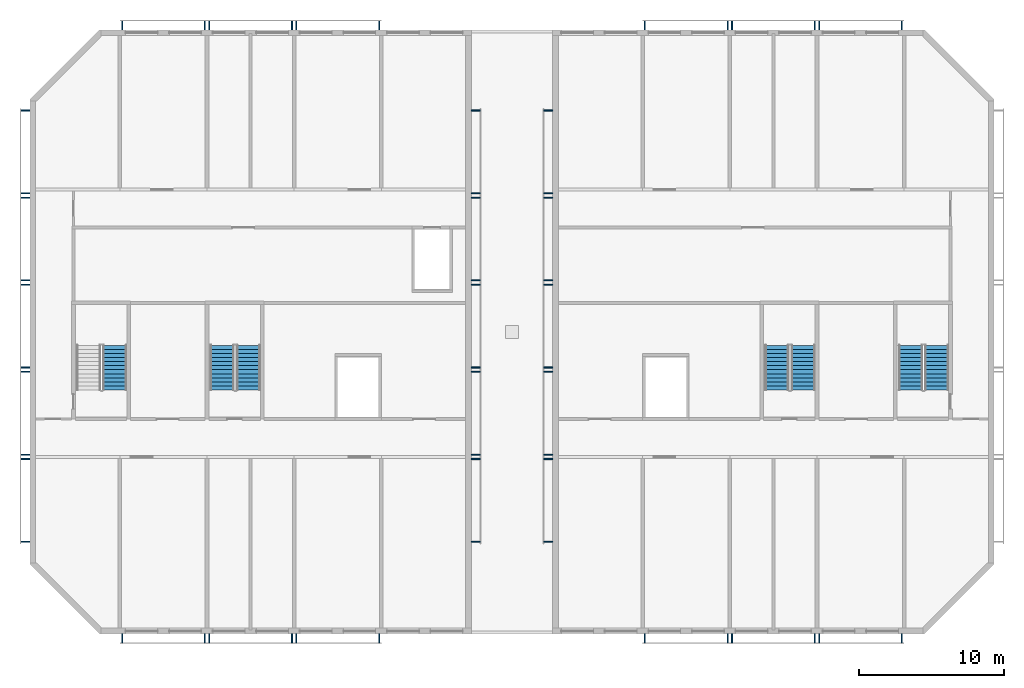
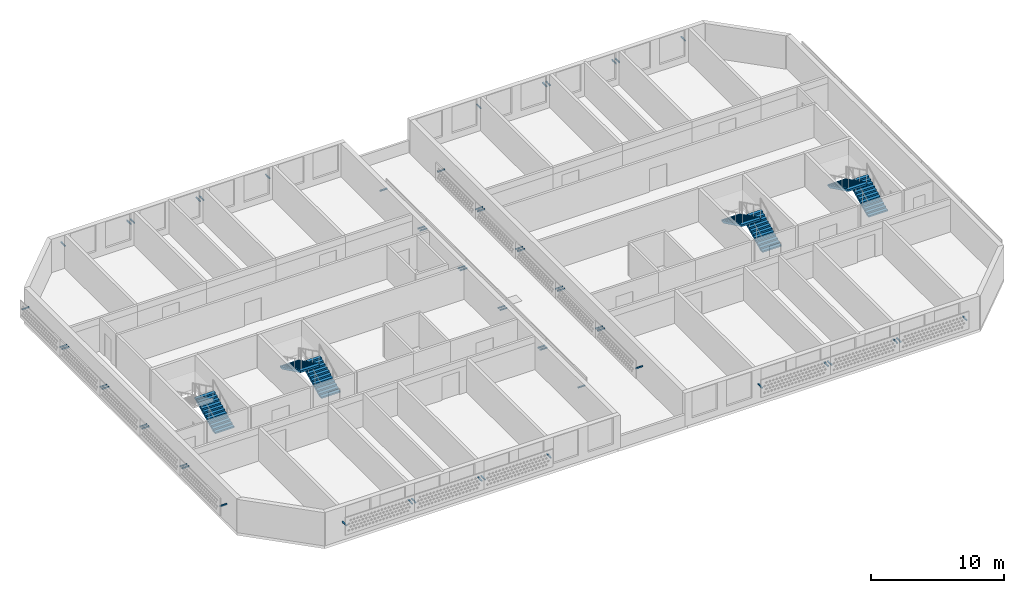
# One storey, part 5 of 18: 54 discrete accessories, 7 stair flights, 4 elements without a shape of their own.
"""IFC4 building model written with IfcOpenShell, lengths in metres."""

from ifc_helpers import new_model, si_unit, direction, frame, origin, origin_2d, place, context, subcontext, project, spatial, polyline, rectangle, outline, extrude, source, transform, mapped, material, layer, layer_set, material_profile, profile_set, type_object, element, aggregate, save


model = new_model("IFC4")

# Units and contexts
model_context = context("Model", 3, precision=1e-05, world=origin(), true_north=direction((0.0, 1.0)))
body_context = subcontext(model_context, "Body", "Model", "MODEL_VIEW")
ifc_project = project(units=[si_unit("LENGTHUNIT", "METRE"), si_unit("AREAUNIT", "SQUARE_METRE"), si_unit("VOLUMEUNIT", "CUBIC_METRE"), si_unit("PLANEANGLEUNIT", "RADIAN"), si_unit("MASSUNIT", "GRAM", prefix="KILO")], contexts=[model_context])

# Site, building, storey
site_placement = place(None, origin())
site = spatial("IfcSite", under=ifc_project, at=site_placement, CompositionType="ELEMENT")
building_placement = place(site_placement, origin())
building = spatial("IfcBuilding", under=site, at=building_placement, Name="Poui Terraces", CompositionType="ELEMENT")
storey_placement = place(building_placement, frame((0.0, 0.0, 272.39990234375)))
storey = spatial("IfcBuildingStorey", under=building, at=storey_placement, Name="L75 CROWN", CompositionType="ELEMENT", Elevation=272.39990234375)

# Stair, stair flights
ifc_material_1 = material(Name="Concrete 50 MPa", Category="concrete")
stair_type = type_object("IfcStairType", Name="EXIT STAIR 1650 50 MPA", PredefinedType="HALF_TURN_STAIR", material=ifc_material_1)
stair_1_placement = place(storey_placement, origin())
stair_1 = element("IfcStair", 1, at=stair_1_placement, inside=storey, type_object=stair_type, Name="L75 CROWN CORE STAIR EAST", PredefinedType="HALF_TURN_STAIR")
ifc_layer = layer(ifc_material_1, 0.14990234375)
ifc_layer_set = layer_set([ifc_layer], Name="Concrete 50 MPa")
stair_flight_type = type_object("IfcStairFlightType", Name="STAIR FLIGHT 12 RISERS 138 RISE 50 MPA", PredefinedType="STRAIGHT", material=ifc_layer_set)
stair_flight_1_placement = place(storey_placement, frame((71.050048828125, 16.60009765625, 0.0), z_axis=(0.0, 0.0, 1.0), x_axis=(0.0, 1.0, 0.0)))
stair_flight_1 = element("IfcStairFlight", 2, at=stair_flight_1_placement, type_object=stair_flight_type, Name="ST-CE flight 1", NumberOfRisers=12, NumberOfTreads=11, PredefinedType="STRAIGHT", RiserHeight=0.1375, TreadLength=0.28, context=body_context, shape_type="SweptSolid", body=[
    extrude(outline(polyline([(0.0, 0.0), (0.0, 0.137451171875), (0.280029296875, 0.137451171875), (0.280029296875, 0.27490234375), (0.56005859375, 0.27490234375), (0.56005859375, 0.41259765625), (0.840087890625, 0.41259765625), (0.840087890625, 0.550048828125), (1.1201171875, 0.550048828125), (1.1201171875, 0.6875), (1.39990234375, 0.6875), (1.39990234375, 0.824951171875), (1.679931640625, 0.824951171875), (1.679931640625, 0.96240234375), (1.9599609375, 0.96240234375), (1.9599609375, 1.10009765625), (2.239990234375, 1.10009765625), (2.239990234375, 1.237548828125), (2.52001953125, 1.237548828125), (2.52001953125, 1.375), (2.800048828125, 1.375), (2.800048828125, 1.512451171875), (3.080078125, 1.512451171875), (3.080078125, 1.64990234375), (3.080078125, 1.345458984375), (0.340087890625, 0.0), (0.0, 0.0)])), frame((0.0, 0.824951171875, 0.0), z_axis=(0.0, -1.0, 0.0), x_axis=(1.0, 0.0, 0.0)), (0.0, 0.0, 1.0), 1.64990234375),
])
stair_flight_2_placement = place(storey_placement, frame((69.25, 19.679931640625, 1.650146484375), z_axis=(0.0, 0.0, 1.0), x_axis=(0.0, -1.0, 0.0)))
stair_flight_2 = element("IfcStairFlight", 3, at=stair_flight_2_placement, type_object=stair_flight_type, Name="ST-CE flight 2", NumberOfRisers=12, NumberOfTreads=11, PredefinedType="STRAIGHT", RiserHeight=0.1375, TreadLength=0.28, context=body_context, shape_type="SweptSolid", body=[
    extrude(outline(polyline([(0.0, 0.0), (0.0, 0.137451171875), (0.280029296875, 0.137451171875), (0.280029296875, 0.27490234375), (0.56005859375, 0.27490234375), (0.56005859375, 0.41259765625), (0.840087890625, 0.41259765625), (0.840087890625, 0.550048828125), (1.1201171875, 0.550048828125), (1.1201171875, 0.6875), (1.39990234375, 0.6875), (1.39990234375, 0.824951171875), (1.679931640625, 0.824951171875), (1.679931640625, 0.96240234375), (1.9599609375, 0.96240234375), (1.9599609375, 1.10009765625), (2.239990234375, 1.10009765625), (2.239990234375, 1.237548828125), (2.52001953125, 1.237548828125), (2.52001953125, 1.375), (2.800048828125, 1.375), (2.800048828125, 1.512451171875), (3.080078125, 1.512451171875), (3.080078125, 1.64990234375), (3.080078125, 1.345458984375), (0.340087890625, 0.0), (0.0, 0.0)])), frame((0.0, 0.824951171875, 0.0), z_axis=(0.0, -1.0, 0.0), x_axis=(1.0, 0.0, 0.0)), (0.0, 0.0, 1.0), 1.64990234375),
])
aggregate(stair_1, [stair_flight_1, stair_flight_2])

stair_2_placement = place(storey_placement, origin())
stair_2 = element("IfcStair", 4, at=stair_2_placement, inside=storey, type_object=stair_type, Name="L75 CROWN CORE STAIR WEST", PredefinedType="HALF_TURN_STAIR")
stair_flight_3_placement = place(storey_placement, frame((32.85009765625, 16.60009765625, 0.0), z_axis=(0.0, 0.0, 1.0), x_axis=(0.0, 1.0, 0.0)))
stair_flight_3 = element("IfcStairFlight", 5, at=stair_flight_3_placement, type_object=stair_flight_type, Name="ST-CW flight 1", NumberOfRisers=12, NumberOfTreads=11, PredefinedType="STRAIGHT", RiserHeight=0.1375, TreadLength=0.28, context=body_context, shape_type="SweptSolid", body=[
    extrude(outline(polyline([(0.0, 0.0), (0.0, 0.137451171875), (0.280029296875, 0.137451171875), (0.280029296875, 0.27490234375), (0.56005859375, 0.27490234375), (0.56005859375, 0.41259765625), (0.840087890625, 0.41259765625), (0.840087890625, 0.550048828125), (1.1201171875, 0.550048828125), (1.1201171875, 0.6875), (1.39990234375, 0.6875), (1.39990234375, 0.824951171875), (1.679931640625, 0.824951171875), (1.679931640625, 0.96240234375), (1.9599609375, 0.96240234375), (1.9599609375, 1.10009765625), (2.239990234375, 1.10009765625), (2.239990234375, 1.237548828125), (2.52001953125, 1.237548828125), (2.52001953125, 1.375), (2.800048828125, 1.375), (2.800048828125, 1.512451171875), (3.080078125, 1.512451171875), (3.080078125, 1.64990234375), (3.080078125, 1.345458984375), (0.340087890625, 0.0), (0.0, 0.0)])), frame((0.0, 0.824951171875, 0.0), z_axis=(0.0, -1.0, 0.0), x_axis=(1.0, 0.0, 0.0)), (0.0, 0.0, 1.0), 1.64990234375),
])
stair_flight_4_placement = place(storey_placement, frame((31.050048828125, 19.679931640625, 1.650146484375), z_axis=(0.0, 0.0, 1.0), x_axis=(0.0, -1.0, 0.0)))
stair_flight_4 = element("IfcStairFlight", 6, at=stair_flight_4_placement, type_object=stair_flight_type, Name="ST-CW flight 2", NumberOfRisers=12, NumberOfTreads=11, PredefinedType="STRAIGHT", RiserHeight=0.1375, TreadLength=0.28, context=body_context, shape_type="SweptSolid", body=[
    extrude(outline(polyline([(0.0, 0.0), (0.0, 0.137451171875), (0.280029296875, 0.137451171875), (0.280029296875, 0.27490234375), (0.56005859375, 0.27490234375), (0.56005859375, 0.41259765625), (0.840087890625, 0.41259765625), (0.840087890625, 0.550048828125), (1.1201171875, 0.550048828125), (1.1201171875, 0.6875), (1.39990234375, 0.6875), (1.39990234375, 0.824951171875), (1.679931640625, 0.824951171875), (1.679931640625, 0.96240234375), (1.9599609375, 0.96240234375), (1.9599609375, 1.10009765625), (2.239990234375, 1.10009765625), (2.239990234375, 1.237548828125), (2.52001953125, 1.237548828125), (2.52001953125, 1.375), (2.800048828125, 1.375), (2.800048828125, 1.512451171875), (3.080078125, 1.512451171875), (3.080078125, 1.64990234375), (3.080078125, 1.345458984375), (0.340087890625, 0.0), (0.0, 0.0)])), frame((0.0, 0.824951171875, 0.0), z_axis=(0.0, -1.0, 0.0), x_axis=(1.0, 0.0, 0.0)), (0.0, 0.0, 1.0), 1.64990234375),
])
aggregate(stair_2, [stair_flight_3, stair_flight_4])

stair_3_placement = place(storey_placement, origin())
stair_3 = element("IfcStair", 7, at=stair_3_placement, inside=storey, type_object=stair_type, Name="L75 CROWN TIP STAIR EAST", PredefinedType="HALF_TURN_STAIR")
stair_flight_5_placement = place(storey_placement, frame((80.25, 16.60009765625, 0.0), z_axis=(0.0, 0.0, 1.0), x_axis=(0.0, 1.0, 0.0)))
stair_flight_5 = element("IfcStairFlight", 8, at=stair_flight_5_placement, type_object=stair_flight_type, Name="ST-E flight 1", NumberOfRisers=12, NumberOfTreads=11, PredefinedType="STRAIGHT", RiserHeight=0.1375, TreadLength=0.28, context=body_context, shape_type="SweptSolid", body=[
    extrude(outline(polyline([(0.0, 0.0), (0.0, 0.137451171875), (0.280029296875, 0.137451171875), (0.280029296875, 0.27490234375), (0.56005859375, 0.27490234375), (0.56005859375, 0.41259765625), (0.840087890625, 0.41259765625), (0.840087890625, 0.550048828125), (1.1201171875, 0.550048828125), (1.1201171875, 0.6875), (1.39990234375, 0.6875), (1.39990234375, 0.824951171875), (1.679931640625, 0.824951171875), (1.679931640625, 0.96240234375), (1.9599609375, 0.96240234375), (1.9599609375, 1.10009765625), (2.239990234375, 1.10009765625), (2.239990234375, 1.237548828125), (2.52001953125, 1.237548828125), (2.52001953125, 1.375), (2.800048828125, 1.375), (2.800048828125, 1.512451171875), (3.080078125, 1.512451171875), (3.080078125, 1.64990234375), (3.080078125, 1.345458984375), (0.340087890625, 0.0), (0.0, 0.0)])), frame((0.0, 0.824951171875, 0.0), z_axis=(0.0, -1.0, 0.0), x_axis=(1.0, 0.0, 0.0)), (0.0, 0.0, 1.0), 1.64990234375),
])
stair_flight_6_placement = place(storey_placement, frame((78.449951171875, 19.679931640625, 1.650146484375), z_axis=(0.0, 0.0, 1.0), x_axis=(0.0, -1.0, 0.0)))
stair_flight_6 = element("IfcStairFlight", 9, at=stair_flight_6_placement, type_object=stair_flight_type, Name="ST-E flight 2", NumberOfRisers=12, NumberOfTreads=11, PredefinedType="STRAIGHT", RiserHeight=0.1375, TreadLength=0.28, context=body_context, shape_type="SweptSolid", body=[
    extrude(outline(polyline([(0.0, 0.0), (0.0, 0.137451171875), (0.280029296875, 0.137451171875), (0.280029296875, 0.27490234375), (0.56005859375, 0.27490234375), (0.56005859375, 0.41259765625), (0.840087890625, 0.41259765625), (0.840087890625, 0.550048828125), (1.1201171875, 0.550048828125), (1.1201171875, 0.6875), (1.39990234375, 0.6875), (1.39990234375, 0.824951171875), (1.679931640625, 0.824951171875), (1.679931640625, 0.96240234375), (1.9599609375, 0.96240234375), (1.9599609375, 1.10009765625), (2.239990234375, 1.10009765625), (2.239990234375, 1.237548828125), (2.52001953125, 1.237548828125), (2.52001953125, 1.375), (2.800048828125, 1.375), (2.800048828125, 1.512451171875), (3.080078125, 1.512451171875), (3.080078125, 1.64990234375), (3.080078125, 1.345458984375), (0.340087890625, 0.0), (0.0, 0.0)])), frame((0.0, 0.824951171875, 0.0), z_axis=(0.0, -1.0, 0.0), x_axis=(1.0, 0.0, 0.0)), (0.0, 0.0, 1.0), 1.64990234375),
])
aggregate(stair_3, [stair_flight_5, stair_flight_6])

# Stair, stair flight
stair_4_placement = place(storey_placement, origin())
stair_4 = element("IfcStair", 10, at=stair_4_placement, inside=storey, type_object=stair_type, Name="L75 CROWN TIP STAIR WEST", PredefinedType="HALF_TURN_STAIR")
stair_flight_7_placement = place(storey_placement, frame((23.64990234375, 16.60009765625, 0.0), z_axis=(0.0, 0.0, 1.0), x_axis=(0.0, 1.0, 0.0)))
stair_flight_7 = element("IfcStairFlight", 11, at=stair_flight_7_placement, type_object=stair_flight_type, Name="ST-W flight 1", NumberOfRisers=12, NumberOfTreads=11, PredefinedType="STRAIGHT", RiserHeight=0.1375, TreadLength=0.28, context=body_context, shape_type="SweptSolid", body=[
    extrude(outline(polyline([(0.0, 0.0), (0.0, 0.137451171875), (0.280029296875, 0.137451171875), (0.280029296875, 0.27490234375), (0.56005859375, 0.27490234375), (0.56005859375, 0.41259765625), (0.840087890625, 0.41259765625), (0.840087890625, 0.550048828125), (1.1201171875, 0.550048828125), (1.1201171875, 0.6875), (1.39990234375, 0.6875), (1.39990234375, 0.824951171875), (1.679931640625, 0.824951171875), (1.679931640625, 0.96240234375), (1.9599609375, 0.96240234375), (1.9599609375, 1.10009765625), (2.239990234375, 1.10009765625), (2.239990234375, 1.237548828125), (2.52001953125, 1.237548828125), (2.52001953125, 1.375), (2.800048828125, 1.375), (2.800048828125, 1.512451171875), (3.080078125, 1.512451171875), (3.080078125, 1.64990234375), (3.080078125, 1.345458984375), (0.340087890625, 0.0), (0.0, 0.0)])), frame((0.0, 0.824951171875, 0.0), z_axis=(0.0, -1.0, 0.0), x_axis=(1.0, 0.0, 0.0)), (0.0, 0.0, 1.0), 1.64990234375),
])
aggregate(stair_4, [stair_flight_7])

# Discrete accessories
ifc_material_2 = material(Name="Galvanised steel", Category="steel")
ifc_material_profile = material_profile(ifc_material_2, rectangle(XDim=0.080078125, YDim=0.080078125, at=origin_2d()), Name="SCREEN BRACKET 80")
ifc_profile_set = profile_set([ifc_material_profile], Name="Galvanised steel")
discrete_accessory_type = type_object("IfcDiscreteAccessoryType", Name="SCREEN BRACKET 80", PredefinedType="BRACKET", material=ifc_profile_set)
shared_shape = source(origin(), body_context, "Body", "SweptSolid", [
    extrude(rectangle(XDim=0.080078125, YDim=0.080078125, at=origin_2d()), origin(), (0.0, 0.0, 1.0), 0.60009765625),
])
for number, where, z_axis, x_axis, name in (
    (12, (24.14990234375, -0.199951171875, 1.7001953125), (0.0, -1.0, 0.0), (1.0, 0.0, 0.0), "SCREEN BRACKET"),
    (13, (29.85009765625, -0.199951171875, 1.7001953125), (0.0, -1.0, 0.0), (1.0, 0.0, 0.0), "SCREEN BRACKET"),
    (14, (30.14990234375, -0.199951171875, 1.7001953125), (0.0, -1.0, 0.0), (1.0, 0.0, 0.0), "SCREEN BRACKET"),
    (15, (35.85009765625, -0.199951171875, 1.7001953125), (0.0, -1.0, 0.0), (1.0, 0.0, 0.0), "SCREEN BRACKET"),
    (16, (36.14990234375, -0.199951171875, 1.7001953125), (0.0, -1.0, 0.0), (1.0, 0.0, 0.0), "SCREEN BRACKET"),
    (17, (41.85009765625, -0.199951171875, 1.7001953125), (0.0, -1.0, 0.0), (1.0, 0.0, 0.0), "SCREEN BRACKET"),
    (18, (48.199951171875, 6.14990234375, 1.7001953125), (1.0, 0.0, 0.0), (0.0, 1.0, 0.0), "SCREEN BRACKET"),
    (19, (48.199951171875, 11.85009765625, 1.7001953125), (1.0, 0.0, 0.0), (0.0, 1.0, 0.0), "SCREEN BRACKET"),
    (20, (48.199951171875, 12.14990234375, 1.7001953125), (1.0, 0.0, 0.0), (0.0, 1.0, 0.0), "SCREEN BRACKET"),
    (21, (48.199951171875, 17.85009765625, 1.7001953125), (1.0, 0.0, 0.0), (0.0, 1.0, 0.0), "SCREEN BRACKET"),
    (22, (48.199951171875, 18.14990234375, 1.7001953125), (1.0, 0.0, 0.0), (0.0, 1.0, 0.0), "SCREEN BRACKET"),
    (23, (48.199951171875, 23.85009765625, 1.7001953125), (1.0, 0.0, 0.0), (0.0, 1.0, 0.0), "SCREEN BRACKET"),
    (24, (48.199951171875, 24.14990234375, 1.7001953125), (1.0, 0.0, 0.0), (0.0, 1.0, 0.0), "SCREEN BRACKET"),
    (25, (48.199951171875, 29.85009765625, 1.7001953125), (1.0, 0.0, 0.0), (0.0, 1.0, 0.0), "SCREEN BRACKET"),
    (26, (48.199951171875, 30.14990234375, 1.7001953125), (1.0, 0.0, 0.0), (0.0, 1.0, 0.0), "SCREEN BRACKET"),
    (27, (48.199951171875, 35.85009765625, 1.7001953125), (1.0, 0.0, 0.0), (0.0, 1.0, 0.0), "SCREEN BRACKET"),
    (28, (29.85009765625, 41.39990234375, 1.7001953125), (0.0, 1.0, 0.0), (-1.0, 0.0, 0.0), "SCREEN BRACKET"),
    (29, (24.14990234375, 41.39990234375, 1.7001953125), (0.0, 1.0, 0.0), (-1.0, 0.0, 0.0), "SCREEN BRACKET"),
    (30, (35.85009765625, 41.39990234375, 1.7001953125), (0.0, 1.0, 0.0), (-1.0, 0.0, 0.0), "SCREEN BRACKET"),
    (31, (30.14990234375, 41.39990234375, 1.7001953125), (0.0, 1.0, 0.0), (-1.0, 0.0, 0.0), "SCREEN BRACKET"),
    (32, (41.85009765625, 41.39990234375, 1.7001953125), (0.0, 1.0, 0.0), (-1.0, 0.0, 0.0), "SCREEN BRACKET"),
    (33, (36.14990234375, 41.39990234375, 1.7001953125), (0.0, 1.0, 0.0), (-1.0, 0.0, 0.0), "SCREEN BRACKET"),
    (34, (17.800048828125, 11.85009765625, 1.7001953125), (-1.0, 0.0, 0.0), (0.0, -1.0, 0.0), "SCREEN BRACKET"),
    (35, (17.800048828125, 6.14990234375, 1.7001953125), (-1.0, 0.0, 0.0), (0.0, -1.0, 0.0), "SCREEN BRACKET"),
    (36, (17.800048828125, 17.85009765625, 1.7001953125), (-1.0, 0.0, 0.0), (0.0, -1.0, 0.0), "SCREEN BRACKET"),
    (37, (17.800048828125, 12.14990234375, 1.7001953125), (-1.0, 0.0, 0.0), (0.0, -1.0, 0.0), "SCREEN BRACKET"),
    (38, (17.800048828125, 23.85009765625, 1.7001953125), (-1.0, 0.0, 0.0), (0.0, -1.0, 0.0), "SCREEN BRACKET"),
    (39, (17.800048828125, 18.14990234375, 1.7001953125), (-1.0, 0.0, 0.0), (0.0, -1.0, 0.0), "SCREEN BRACKET"),
    (40, (17.800048828125, 29.85009765625, 1.7001953125), (-1.0, 0.0, 0.0), (0.0, -1.0, 0.0), "SCREEN BRACKET"),
    (41, (17.800048828125, 24.14990234375, 1.7001953125), (-1.0, 0.0, 0.0), (0.0, -1.0, 0.0), "SCREEN BRACKET"),
    (42, (17.800048828125, 35.85009765625, 1.7001953125), (-1.0, 0.0, 0.0), (0.0, -1.0, 0.0), "SCREEN BRACKET"),
    (43, (17.800048828125, 30.14990234375, 1.7001953125), (-1.0, 0.0, 0.0), (0.0, -1.0, 0.0), "SCREEN BRACKET"),
    (44, (60.14990234375, -0.199951171875, 1.7001953125), (0.0, -1.0, 0.0), (1.0, 0.0, 0.0), "SCREEN BRACKET"),
    (45, (65.85009765625, -0.199951171875, 1.7001953125), (0.0, -1.0, 0.0), (1.0, 0.0, 0.0), "SCREEN BRACKET"),
    (46, (66.14990234375, -0.199951171875, 1.7001953125), (0.0, -1.0, 0.0), (1.0, 0.0, 0.0), "SCREEN BRACKET"),
    (47, (71.85009765625, -0.199951171875, 1.7001953125), (0.0, -1.0, 0.0), (1.0, 0.0, 0.0), "SCREEN BRACKET"),
    (48, (72.14990234375, -0.199951171875, 1.7001953125), (0.0, -1.0, 0.0), (1.0, 0.0, 0.0), "SCREEN BRACKET"),
    (49, (77.85009765625, -0.199951171875, 1.7001953125), (0.0, -1.0, 0.0), (1.0, 0.0, 0.0), "SCREEN BRACKET"),
    (50, (65.85009765625, 41.39990234375, 1.7001953125), (0.0, 1.0, 0.0), (-1.0, 0.0, 0.0), "SCREEN BRACKET"),
    (51, (60.14990234375, 41.39990234375, 1.7001953125), (0.0, 1.0, 0.0), (-1.0, 0.0, 0.0), "SCREEN BRACKET"),
    (52, (71.85009765625, 41.39990234375, 1.7001953125), (0.0, 1.0, 0.0), (-1.0, 0.0, 0.0), "SCREEN BRACKET"),
    (53, (66.14990234375, 41.39990234375, 1.7001953125), (0.0, 1.0, 0.0), (-1.0, 0.0, 0.0), "SCREEN BRACKET"),
    (54, (77.85009765625, 41.39990234375, 1.7001953125), (0.0, 1.0, 0.0), (-1.0, 0.0, 0.0), "SCREEN BRACKET"),
    (55, (72.14990234375, 41.39990234375, 1.7001953125), (0.0, 1.0, 0.0), (-1.0, 0.0, 0.0), "SCREEN BRACKET"),
    (56, (53.800048828125, 11.85009765625, 1.7001953125), (-1.0, 0.0, 0.0), (0.0, -1.0, 0.0), "SCREEN BRACKET"),
    (57, (53.800048828125, 6.14990234375, 1.7001953125), (-1.0, 0.0, 0.0), (0.0, -1.0, 0.0), "SCREEN BRACKET"),
    (58, (53.800048828125, 17.85009765625, 1.7001953125), (-1.0, 0.0, 0.0), (0.0, -1.0, 0.0), "SCREEN BRACKET"),
    (59, (53.800048828125, 12.14990234375, 1.7001953125), (-1.0, 0.0, 0.0), (0.0, -1.0, 0.0), "SCREEN BRACKET"),
    (60, (53.800048828125, 23.85009765625, 1.7001953125), (-1.0, 0.0, 0.0), (0.0, -1.0, 0.0), "SCREEN BRACKET"),
    (61, (53.800048828125, 18.14990234375, 1.7001953125), (-1.0, 0.0, 0.0), (0.0, -1.0, 0.0), "SCREEN BRACKET"),
    (62, (53.800048828125, 29.85009765625, 1.7001953125), (-1.0, 0.0, 0.0), (0.0, -1.0, 0.0), "SCREEN BRACKET"),
    (63, (53.800048828125, 24.14990234375, 1.7001953125), (-1.0, 0.0, 0.0), (0.0, -1.0, 0.0), "SCREEN BRACKET"),
    (64, (53.800048828125, 35.85009765625, 1.7001953125), (-1.0, 0.0, 0.0), (0.0, -1.0, 0.0), "SCREEN BRACKET"),
    (65, (53.800048828125, 30.14990234375, 1.7001953125), (-1.0, 0.0, 0.0), (0.0, -1.0, 0.0), "SCREEN BRACKET"),
):
    element("IfcDiscreteAccessory", number, at=place(storey_placement, frame(where, z_axis=z_axis, x_axis=x_axis)), inside=storey, type_object=discrete_accessory_type, Name=name, PredefinedType="BRACKET", context=body_context, shape_type="MappedRepresentation", body=[
        mapped(shared_shape, transform((0.0, 0.0, 0.0))),
    ])

save(model, "model.ifc")
